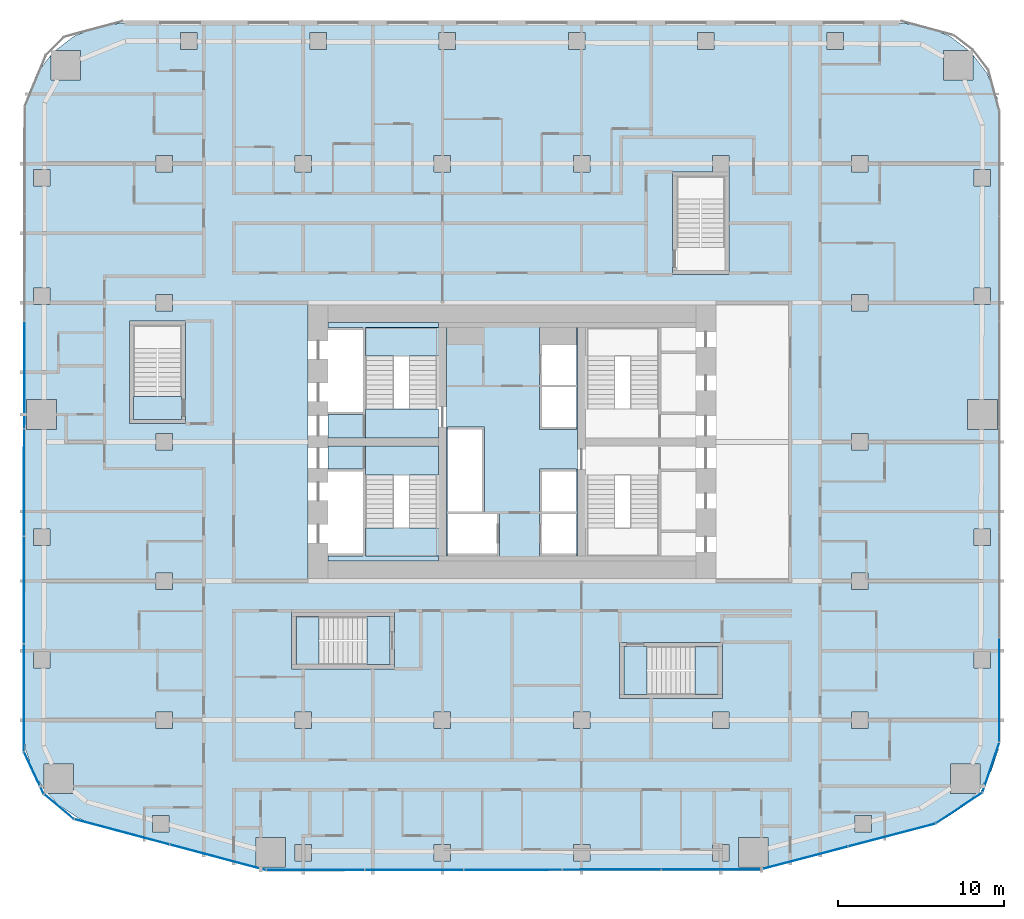
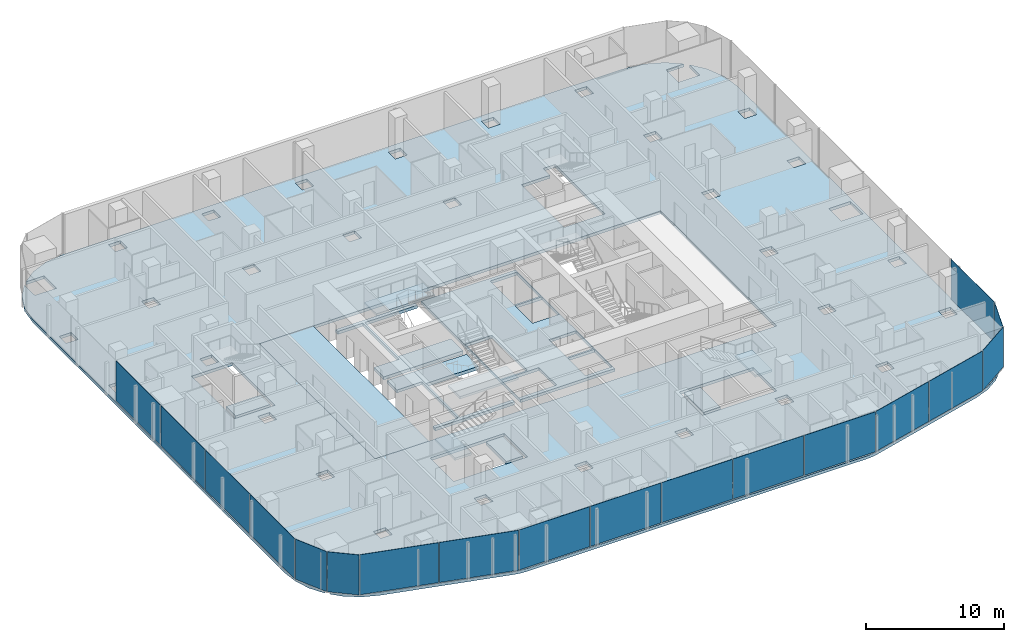
# One storey, part 14 of 26: 18 plates, 14 slabs, 13 elements without a shape of their own.
"""IFC4 building model written with IfcOpenShell, lengths in metres."""

from ifc_helpers import new_model, si_unit, direction, frame, origin, origin_2d, place, context, subcontext, project, spatial, polyline, rectangle, outline, extrude, material, layer, layer_set, type_object, element, aggregate, save


model = new_model("IFC4")

# Units and contexts
model_context = context("Model", 3, precision=1e-05, world=origin(), true_north=direction((0.0, 1.0)))
body_context = subcontext(model_context, "Body", "Model", "MODEL_VIEW")
ifc_project = project(units=[si_unit("LENGTHUNIT", "METRE"), si_unit("AREAUNIT", "SQUARE_METRE"), si_unit("VOLUMEUNIT", "CUBIC_METRE"), si_unit("PLANEANGLEUNIT", "RADIAN"), si_unit("MASSUNIT", "GRAM", prefix="KILO")], contexts=[model_context])

# Site, building, storey
site_placement = place(None, origin())
site = spatial("IfcSite", under=ifc_project, at=site_placement, CompositionType="ELEMENT")
building_placement = place(site_placement, origin())
building = spatial("IfcBuilding", under=site, at=building_placement, Name="Marenta Gate Hotel Tower", CompositionType="ELEMENT")
storey_placement = place(building_placement, frame((0.0, 0.0, 58.10009765625)))
storey = spatial("IfcBuildingStorey", under=building, at=storey_placement, Name="L12", CompositionType="ELEMENT", Elevation=58.10009765625)

# Slabs
ifc_material_1 = material(Name="Concrete C35", Category="concrete")
ifc_layer_1 = layer(ifc_material_1, 0.260009765625)
ifc_layer_set_1 = layer_set([ifc_layer_1], Name="Concrete C35")
slab_type_1 = type_object("IfcSlabType", Name="Concrete floor slab 260", PredefinedType="FLOOR", material=ifc_layer_set_1)
slab_1_placement = place(storey_placement, frame((0.0, 0.0, -0.260009765625)))
element("IfcSlab", 1, at=slab_1_placement, inside=storey, type_object=slab_type_1, Name="L12-SL-1", PredefinedType="FLOOR", context=body_context, shape_type="SweptSolid", body=[
    extrude(outline(polyline([(-27.313720703125, -13.56396484375), (-28.015625, -12.8330078125), (-26.462890625, -12.8330078125), (-26.462890625, -11.032958984375), (-28.262939453125, -11.032958984375), (-28.262939453125, -12.55859375), (-28.927001953125, -11.467041015625), (-29.35546875, -10.20703125), (-29.5, -8.889892578125), (-29.5, 27.6064453125), (-29.29296875, 29.178955078125), (-28.68359375, 30.650390625), (-27.83544921875, 31.755615234375), (-27.83544921875, 30.235595703125), (-26.035400390625, 30.235595703125), (-26.035400390625, 32.035400390625), (-27.555419921875, 32.035400390625), (-26.450439453125, 32.883544921875), (-24.97900390625, 33.492919921875), (-23.406494140625, 33.699951171875), (23.406494140625, 33.699951171875), (24.97900390625, 33.492919921875), (26.450439453125, 32.883544921875), (27.555419921875, 32.035400390625), (26.035400390625, 32.035400390625), (26.035400390625, 30.235595703125), (27.83544921875, 30.235595703125), (27.83544921875, 31.755615234375), (28.68359375, 30.650390625), (29.29296875, 29.178955078125), (29.5, 27.6064453125), (29.5, -8.889892578125), (29.35546875, -10.20703125), (28.927001953125, -11.467041015625), (28.262939453125, -12.55859375), (28.262939453125, -11.032958984375), (26.462890625, -11.032958984375), (26.462890625, -12.8330078125), (28.015625, -12.8330078125), (27.313720703125, -13.56396484375), (26.205810546875, -14.30126953125), (24.969482421875, -14.77880859375), (15.2265625, -17.36376953125), (14.70849609375, -17.4658203125), (14.181640625, -17.5), (-14.181640625, -17.5), (-14.70849609375, -17.4658203125), (-15.2265625, -17.36376953125), (-24.969482421875, -14.77880859375), (-26.205810546875, -14.30126953125), (-27.313720703125, -13.56396484375)]), holes=[polyline([(-16.800048828125, 0.0), (16.800048828125, 0.0), (16.800048828125, 16.800048828125), (-16.800048828125, 16.800048828125), (-16.800048828125, 0.0)]), polyline([(-13.666259765625, -15.474853515625), (-15.46630859375, -15.474853515625), (-15.46630859375, -17.27490234375), (-13.666259765625, -17.27490234375), (-13.666259765625, -15.474853515625)]), polyline([(-20.706787109375, -14.13916015625), (-21.706787109375, -14.13916015625), (-21.706787109375, -15.13916015625), (-20.706787109375, -15.13916015625), (-20.706787109375, -14.13916015625)]), polyline([(-20.5, -8.89990234375), (-20.5, -7.89990234375), (-21.5, -7.89990234375), (-21.5, -8.89990234375), (-20.5, -8.89990234375)]), polyline([(-12.10009765625, -8.89990234375), (-12.10009765625, -7.89990234375), (-13.10009765625, -7.89990234375), (-13.10009765625, -8.89990234375), (-12.10009765625, -8.89990234375)]), polyline([(-27.89990234375, -4.251953125), (-28.89990234375, -4.251953125), (-28.89990234375, -5.251953125), (-27.89990234375, -5.251953125), (-27.89990234375, -4.251953125)]), polyline([(-20.5, -0.5), (-20.5, 0.5), (-21.5, 0.5), (-21.5, -0.5), (-20.5, -0.5)]), polyline([(-27.89990234375, 2.149169921875), (-27.89990234375, 3.149169921875), (-28.89990234375, 3.149169921875), (-28.89990234375, 2.149169921875), (-27.89990234375, 2.149169921875)]), polyline([(-20.5, 8.89990234375), (-21.5, 8.89990234375), (-21.5, 7.89990234375), (-20.5, 7.89990234375), (-20.5, 8.89990234375)]), polyline([(-27.5, 9.14990234375), (-27.5, 10.949951171875), (-29.300048828125, 10.949951171875), (-29.300048828125, 9.14990234375), (-27.5, 9.14990234375)]), polyline([(-20.5, 16.300048828125), (-20.5, 17.300048828125), (-21.5, 17.300048828125), (-21.5, 16.300048828125), (-20.5, 16.300048828125)]), polyline([(-27.89990234375, 17.703125), (-28.89990234375, 17.703125), (-28.89990234375, 16.703125), (-27.89990234375, 16.703125), (-27.89990234375, 17.703125)]), polyline([(-27.89990234375, 23.8564453125), (-27.89990234375, 24.8564453125), (-28.89990234375, 24.8564453125), (-28.89990234375, 23.8564453125), (-27.89990234375, 23.8564453125)]), polyline([(-20.5, 24.699951171875), (-20.5, 25.699951171875), (-21.5, 25.699951171875), (-21.5, 24.699951171875), (-20.5, 24.699951171875)]), polyline([(-19.0068359375, 32.10009765625), (-19.0068359375, 33.10009765625), (-20.0068359375, 33.10009765625), (-20.0068359375, 32.10009765625), (-19.0068359375, 32.10009765625)]), polyline([(-12.10009765625, -16.89990234375), (-12.10009765625, -15.89990234375), (-13.10009765625, -15.89990234375), (-13.10009765625, -16.89990234375), (-12.10009765625, -16.89990234375)]), polyline([(-3.699951171875, -15.89990234375), (-4.699951171875, -15.89990234375), (-4.699951171875, -16.89990234375), (-3.699951171875, -16.89990234375), (-3.699951171875, -15.89990234375)]), polyline([(4.699951171875, -16.89990234375), (4.699951171875, -15.89990234375), (3.699951171875, -15.89990234375), (3.699951171875, -16.89990234375), (4.699951171875, -16.89990234375)]), polyline([(13.10009765625, -16.89990234375), (13.10009765625, -15.89990234375), (12.10009765625, -15.89990234375), (12.10009765625, -16.89990234375), (13.10009765625, -16.89990234375)]), polyline([(15.46630859375, -15.474853515625), (13.666259765625, -15.474853515625), (13.666259765625, -17.27490234375), (15.46630859375, -17.27490234375), (15.46630859375, -15.474853515625)]), polyline([(-3.699951171875, -8.89990234375), (-3.699951171875, -7.89990234375), (-4.699951171875, -7.89990234375), (-4.699951171875, -8.89990234375), (-3.699951171875, -8.89990234375)]), polyline([(4.699951171875, -8.89990234375), (4.699951171875, -7.89990234375), (3.699951171875, -7.89990234375), (3.699951171875, -8.89990234375), (4.699951171875, -8.89990234375)]), polyline([(13.10009765625, -7.89990234375), (12.10009765625, -7.89990234375), (12.10009765625, -8.89990234375), (13.10009765625, -8.89990234375), (13.10009765625, -7.89990234375)]), polyline([(-12.10009765625, 25.699951171875), (-13.10009765625, 25.699951171875), (-13.10009765625, 24.699951171875), (-12.10009765625, 24.699951171875), (-12.10009765625, 25.699951171875)]), polyline([(-3.699951171875, 25.699951171875), (-4.699951171875, 25.699951171875), (-4.699951171875, 24.699951171875), (-3.699951171875, 24.699951171875), (-3.699951171875, 25.699951171875)]), polyline([(4.699951171875, 24.699951171875), (4.699951171875, 25.699951171875), (3.699951171875, 25.699951171875), (3.699951171875, 24.699951171875), (4.699951171875, 24.699951171875)]), polyline([(13.10009765625, 25.699951171875), (12.10009765625, 25.699951171875), (12.10009765625, 24.699951171875), (9.699951171875, 24.699951171875), (9.699951171875, 18.5), (13.10009765625, 18.5), (13.10009765625, 25.699951171875)]), polyline([(-11.2041015625, 33.10009765625), (-12.2041015625, 33.10009765625), (-12.2041015625, 32.10009765625), (-11.2041015625, 32.10009765625), (-11.2041015625, 33.10009765625)]), polyline([(-3.4013671875, 32.10009765625), (-3.4013671875, 33.10009765625), (-4.4013671875, 33.10009765625), (-4.4013671875, 32.10009765625), (-3.4013671875, 32.10009765625)]), polyline([(4.4013671875, 32.10009765625), (4.4013671875, 33.10009765625), (3.4013671875, 33.10009765625), (3.4013671875, 32.10009765625), (4.4013671875, 32.10009765625)]), polyline([(12.2041015625, 33.10009765625), (11.2041015625, 33.10009765625), (11.2041015625, 32.10009765625), (12.2041015625, 32.10009765625), (12.2041015625, 33.10009765625)]), polyline([(21.706787109375, -15.13916015625), (21.706787109375, -14.13916015625), (20.706787109375, -14.13916015625), (20.706787109375, -15.13916015625), (21.706787109375, -15.13916015625)]), polyline([(21.5, -7.89990234375), (20.5, -7.89990234375), (20.5, -8.89990234375), (21.5, -8.89990234375), (21.5, -7.89990234375)]), polyline([(28.89990234375, -5.251953125), (28.89990234375, -4.251953125), (27.89990234375, -4.251953125), (27.89990234375, -5.251953125), (28.89990234375, -5.251953125)]), polyline([(21.5, -0.5), (21.5, 0.5), (20.5, 0.5), (20.5, -0.5), (21.5, -0.5)]), polyline([(28.89990234375, 3.149169921875), (27.89990234375, 3.149169921875), (27.89990234375, 2.149169921875), (28.89990234375, 2.149169921875), (28.89990234375, 3.149169921875)]), polyline([(21.5, 7.89990234375), (21.5, 8.89990234375), (20.5, 8.89990234375), (20.5, 7.89990234375), (21.5, 7.89990234375)]), polyline([(29.300048828125, 9.14990234375), (29.300048828125, 10.949951171875), (27.5, 10.949951171875), (27.5, 9.14990234375), (29.300048828125, 9.14990234375)]), polyline([(21.5, 17.300048828125), (20.5, 17.300048828125), (20.5, 16.300048828125), (21.5, 16.300048828125), (21.5, 17.300048828125)]), polyline([(28.89990234375, 16.703125), (28.89990234375, 17.703125), (27.89990234375, 17.703125), (27.89990234375, 16.703125), (28.89990234375, 16.703125)]), polyline([(28.89990234375, 23.8564453125), (28.89990234375, 24.8564453125), (27.89990234375, 24.8564453125), (27.89990234375, 23.8564453125), (28.89990234375, 23.8564453125)]), polyline([(21.5, 25.699951171875), (20.5, 25.699951171875), (20.5, 24.699951171875), (21.5, 24.699951171875), (21.5, 25.699951171875)]), polyline([(20.0068359375, 32.10009765625), (20.0068359375, 33.10009765625), (19.0068359375, 33.10009765625), (19.0068359375, 32.10009765625), (20.0068359375, 32.10009765625)]), polyline([(6.5, -7.10009765625), (12.699951171875, -7.10009765625), (12.699951171875, -3.699951171875), (6.5, -3.699951171875), (6.5, -7.10009765625)]), polyline([(-13.300048828125, -5.300048828125), (-7.10009765625, -5.300048828125), (-7.10009765625, -1.89990234375), (-13.300048828125, -1.89990234375), (-13.300048828125, -5.300048828125)]), polyline([(-23.10009765625, 9.5), (-19.699951171875, 9.5), (-19.699951171875, 15.699951171875), (-23.10009765625, 15.699951171875), (-23.10009765625, 9.5)])]), origin(), (0.0, 0.0, 1.0), 0.260009765625),
])
ifc_material_2 = material(Name="Concrete C40", Category="concrete")
ifc_layer_2 = layer(ifc_material_2, 0.260009765625)
ifc_layer_set_2 = layer_set([ifc_layer_2], Name="Concrete C40")
slab_type_2 = type_object("IfcSlabType", Name="Core floor slab 260", PredefinedType="FLOOR", material=ifc_layer_set_2)
slab_2_placement = place(storey_placement, frame((0.0, 0.0, -0.260009765625)))
element("IfcSlab", 2, at=slab_2_placement, inside=storey, type_object=slab_type_2, Name="L12-CF-4", PredefinedType="FLOOR", context=body_context, shape_type="SweptSolid", body=[
    extrude(outline(polyline([(3.949951171875, 15.300048828125), (3.949951171875, 10.39990234375), (3.949951171875, 6.39990234375), (3.949951171875, 1.5), (3.949951171875, 1.199951171875), (-3.949951171875, 1.199951171875), (-3.949951171875, 1.5), (-3.949951171875, 6.39990234375), (-3.949951171875, 10.39990234375), (-3.949951171875, 15.300048828125), (-3.949951171875, 15.60009765625), (3.949951171875, 15.60009765625), (3.949951171875, 15.300048828125)]), holes=[polyline([(1.64990234375, 4.050048828125), (1.64990234375, 1.64990234375), (1.64990234375, 1.5), (3.89990234375, 1.5), (3.89990234375, 1.64990234375), (3.89990234375, 4.050048828125), (1.800048828125, 4.050048828125), (1.64990234375, 4.050048828125)]), polyline([(1.64990234375, 9.14990234375), (3.89990234375, 9.14990234375), (3.89990234375, 9.300048828125), (3.89990234375, 11.699951171875), (1.800048828125, 11.699951171875), (1.64990234375, 11.699951171875), (1.64990234375, 9.300048828125), (1.64990234375, 9.14990234375)]), polyline([(1.64990234375, 11.85009765625), (1.800048828125, 11.85009765625), (3.89990234375, 11.85009765625), (3.89990234375, 14.25), (3.89990234375, 15.300048828125), (1.64990234375, 15.300048828125), (1.64990234375, 14.25), (1.64990234375, 11.85009765625)]), polyline([(3.89990234375, 6.60009765625), (3.89990234375, 6.75), (1.64990234375, 6.75), (1.64990234375, 6.60009765625), (1.64990234375, 4.199951171875), (1.800048828125, 4.199951171875), (3.89990234375, 4.199951171875), (3.89990234375, 6.60009765625)]), polyline([(-3.89990234375, 1.5), (-0.89990234375, 1.5), (-0.75, 1.5), (-0.75, 4.050048828125), (-0.89990234375, 4.050048828125), (-3.89990234375, 4.050048828125), (-3.89990234375, 1.64990234375), (-3.89990234375, 1.5)]), polyline([(-1.64990234375, 4.199951171875), (-1.64990234375, 9.14990234375), (-1.64990234375, 9.300048828125), (-3.89990234375, 9.300048828125), (-3.89990234375, 9.14990234375), (-3.89990234375, 6.75), (-3.89990234375, 6.60009765625), (-3.89990234375, 4.199951171875), (-1.800048828125, 4.199951171875), (-1.64990234375, 4.199951171875)])]), origin(), (0.0, 0.0, 1.0), 0.260009765625),
])
slab_3_placement = place(storey_placement, frame((0.0, 0.0, -0.260009765625)))
element("IfcSlab", 3, at=slab_3_placement, inside=storey, type_object=slab_type_2, Name="L12-CF-5", PredefinedType="FLOOR", context=body_context, shape_type="SweptSolid", body=[
    extrude(outline(polyline([(-9.0, 1.5), (-9.0, 1.64990234375), (-9.0, 4.050048828125), (-9.0, 4.199951171875), (-9.0, 6.60009765625), (-9.0, 6.75), (-11.10009765625, 6.75), (-11.10009765625, 8.14990234375), (-8.85009765625, 8.14990234375), (-8.85009765625, 8.10009765625), (-8.85009765625, 6.39990234375), (-8.85009765625, 1.5), (-4.449951171875, 1.5), (-4.449951171875, 1.199951171875), (-11.10009765625, 1.199951171875), (-11.10009765625, 1.5), (-9.0, 1.5)])), origin(), (0.0, 0.0, 1.0), 0.260009765625),
])
slab_4_placement = place(storey_placement, frame((0.0, 0.0, -0.260009765625)))
element("IfcSlab", 4, at=slab_4_placement, inside=storey, type_object=slab_type_2, Name="L12-CF-6", PredefinedType="FLOOR", context=body_context, shape_type="SweptSolid", body=[
    extrude(outline(polyline([(-4.449951171875, 15.300048828125), (-8.85009765625, 15.300048828125), (-8.85009765625, 10.39990234375), (-8.85009765625, 8.699951171875), (-8.85009765625, 8.64990234375), (-11.10009765625, 8.64990234375), (-11.10009765625, 10.050048828125), (-9.0, 10.050048828125), (-9.0, 10.199951171875), (-9.0, 12.60009765625), (-9.0, 12.75), (-9.0, 15.14990234375), (-9.0, 15.300048828125), (-11.10009765625, 15.300048828125), (-11.10009765625, 15.60009765625), (-4.449951171875, 15.60009765625), (-4.449951171875, 15.300048828125)])), origin(), (0.0, 0.0, 1.0), 0.260009765625),
])
slab_5_placement = place(storey_placement, frame((0.0, 0.0, -0.260009765625)))
element("IfcSlab", 5, at=slab_5_placement, inside=storey, type_object=slab_type_2, Name="L12-CF-7", PredefinedType="FLOOR", context=body_context, shape_type="SweptSolid", body=[
    extrude(outline(polyline([(-12.300048828125, 16.800048828125), (-12.300048828125, 0.0), (-16.800048828125, 0.0), (-16.800048828125, 16.800048828125), (-12.300048828125, 16.800048828125)])), origin(), (0.0, 0.0, 1.0), 0.260009765625),
])

# Stair, slab
ifc_material_3 = material(Name="Concrete C40", Category="concrete")
stair_type_1 = type_object("IfcStairType", Name="Core exit stair 1700 wide", PredefinedType="HALF_TURN_STAIR", material=ifc_material_3)
stair_1_placement = place(storey_placement, origin())
stair_1 = element("IfcStair", 6, at=stair_1_placement, inside=storey, type_object=stair_type_1, Name="Exit stair 1", PredefinedType="HALF_TURN_STAIR")
ifc_material_4 = material(Name="Concrete C40", Category="concrete")
ifc_layer_3 = layer(ifc_material_4, 0.199951171875)
ifc_layer_set_3 = layer_set([ifc_layer_3], Name="Concrete C40")
slab_type_3 = type_object("IfcSlabType", Name="Core stair landing 200", PredefinedType="LANDING", material=ifc_layer_set_3)
slab_6_placement = place(storey_placement, frame((0.0, 0.0, 1.599853515625)))
slab_6 = element("IfcSlab", 7, at=slab_6_placement, type_object=slab_type_3, Name="SL-200 ST1 landing 1", PredefinedType="LANDING", context=body_context, shape_type="SweptSolid", body=[
    extrude(outline(polyline([(-8.85009765625, 1.5), (-3.949951171875, 1.5), (-3.949951171875, 3.2099609375), (-8.85009765625, 3.2099609375), (-8.85009765625, 1.5)])), origin(), (0.0, 0.0, 1.0), 0.199951171875),
])
aggregate(stair_1, [slab_6])

stair_2_placement = place(storey_placement, origin())
stair_2 = element("IfcStair", 8, at=stair_2_placement, inside=storey, type_object=stair_type_1, Name="Exit stair 2", PredefinedType="HALF_TURN_STAIR")
slab_7_placement = place(storey_placement, frame((0.0, 0.0, 1.599853515625)))
slab_7 = element("IfcSlab", 9, at=slab_7_placement, type_object=slab_type_3, Name="SL-200 ST2 landing 1", PredefinedType="LANDING", context=body_context, shape_type="SweptSolid", body=[
    extrude(outline(polyline([(-8.85009765625, 13.590087890625), (-3.949951171875, 13.590087890625), (-3.949951171875, 15.300048828125), (-8.85009765625, 15.300048828125), (-8.85009765625, 13.590087890625)])), origin(), (0.0, 0.0, 1.0), 0.199951171875),
])
aggregate(stair_2, [slab_7])

# Curtain wall, plates
ifc_material_5 = material(Name="Tinted insulated glass in bronze anodised frame", Category="glass")
ifc_layer_4 = layer(ifc_material_5, 0.1201171875)
ifc_layer_set_4 = layer_set([ifc_layer_4], Name="Tinted insulated glass in bronze anodised frame")
curtain_wall_type = type_object("IfcCurtainWallType", Name="Tower unitised curtain wall CW1", PredefinedType="NOTDEFINED", material=ifc_layer_set_4)
curtain_wall_1_placement = place(storey_placement, origin())
curtain_wall_1 = element("IfcCurtainWall", 10, at=curtain_wall_1_placement, inside=storey, type_object=curtain_wall_type, Name="CW1 run G03", PredefinedType="NOTDEFINED")
ifc_material_6 = material(Name="Tinted insulated glass", Category="glass")
ifc_layer_5 = layer(ifc_material_6, 0.028076171875)
ifc_layer_set_5 = layer_set([ifc_layer_5], Name="Tinted insulated glass")
plate_type = type_object("IfcPlateType", Name="Glass panel CW1 28 mm tinted insulated unit", PredefinedType="CURTAIN_PANEL", material=ifc_layer_set_5)
plate_1_placement = place(storey_placement, frame((-29.437744140625, 12.440185546875, 0.059814453125), z_axis=(0.0, 0.0, 1.0), x_axis=(-0.00156642217, -0.99999877316, 0.0)))
plate_1 = element("IfcPlate", 11, at=plate_1_placement, type_object=plate_type, Name="CW1 panel 3.1", PredefinedType="CURTAIN_PANEL", context=body_context, shape_type="SweptSolid", body=[
    extrude(rectangle(XDim=6.430419921875, YDim=0.028076171875, at=origin_2d()), origin(), (0.0, 0.0, 1.0), 3.5400390625),
])
plate_2_placement = place(storey_placement, frame((-29.447998046875, 5.949951171875, 0.059814453125), z_axis=(0.0, 0.0, 1.0), x_axis=(-0.00156642217, -0.99999877316, 0.0)))
plate_2 = element("IfcPlate", 12, at=plate_2_placement, type_object=plate_type, Name="CW1 panel 4.1", PredefinedType="CURTAIN_PANEL", context=body_context, shape_type="SweptSolid", body=[
    extrude(rectangle(XDim=6.430419921875, YDim=0.028076171875, at=origin_2d()), origin(), (0.0, 0.0, 1.0), 3.5400390625),
])
plate_3_placement = place(storey_placement, frame((-29.4580078125, -0.54052734375, 0.059814453125), z_axis=(0.0, 0.0, 1.0), x_axis=(-0.00156642217, -0.99999877316, 0.0)))
plate_3 = element("IfcPlate", 13, at=plate_3_placement, type_object=plate_type, Name="CW1 panel 5.1", PredefinedType="CURTAIN_PANEL", context=body_context, shape_type="SweptSolid", body=[
    extrude(rectangle(XDim=6.430419921875, YDim=0.028076171875, at=origin_2d()), origin(), (0.0, 0.0, 1.0), 3.5400390625),
])
plate_4_placement = place(storey_placement, frame((-29.46826171875, -7.0458984375, 0.059814453125), z_axis=(0.0, 0.0, 1.0), x_axis=(-0.00156642217, -0.99999877316, 0.0)))
plate_4 = element("IfcPlate", 14, at=plate_4_placement, type_object=plate_type, Name="CW1 panel 6.1", PredefinedType="CURTAIN_PANEL", context=body_context, shape_type="SweptSolid", body=[
    extrude(rectangle(XDim=6.46044921875, YDim=0.028076171875, at=origin_2d()), origin(), (0.0, 0.0, 1.0), 3.5400390625),
])
aggregate(curtain_wall_1, [plate_1, plate_2, plate_3, plate_4])

# Curtain wall, plate
curtain_wall_2_placement = place(storey_placement, origin())
curtain_wall_2 = element("IfcCurtainWall", 15, at=curtain_wall_2_placement, inside=storey, type_object=curtain_wall_type, Name="CW1 run G04", PredefinedType="NOTDEFINED")
plate_5_placement = place(storey_placement, frame((-28.861083984375, -11.5859375, 0.059814453125), z_axis=(0.0, 0.0, 1.0), x_axis=(0.423341617441, -0.905970129167, 0.0)))
plate_5 = element("IfcPlate", 16, at=plate_5_placement, type_object=plate_type, Name="CW1 panel 1.1", PredefinedType="CURTAIN_PANEL", context=body_context, shape_type="SweptSolid", body=[
    extrude(rectangle(XDim=2.77197265625, YDim=0.028076171875, at=origin_2d()), origin(), (0.0, 0.0, 1.0), 3.5400390625),
])
aggregate(curtain_wall_2, [plate_5])

curtain_wall_3_placement = place(storey_placement, origin())
curtain_wall_3 = element("IfcCurtainWall", 17, at=curtain_wall_3_placement, inside=storey, type_object=curtain_wall_type, Name="CW1 run G05", PredefinedType="NOTDEFINED")
plate_6_placement = place(storey_placement, frame((-27.33984375, -13.623291015625, 0.059814453125), z_axis=(0.0, 0.0, 1.0), x_axis=(0.767113012445, -0.641511984407, 0.0)))
plate_6 = element("IfcPlate", 18, at=plate_6_placement, type_object=plate_type, Name="CW1 panel 1.1", PredefinedType="CURTAIN_PANEL", context=body_context, shape_type="SweptSolid", body=[
    extrude(rectangle(XDim=2.316650390625, YDim=0.028076171875, at=origin_2d()), origin(), (0.0, 0.0, 1.0), 3.5400390625),
])
aggregate(curtain_wall_3, [plate_6])

# Curtain wall, plates
curtain_wall_4_placement = place(storey_placement, origin())
curtain_wall_4 = element("IfcCurtainWall", 19, at=curtain_wall_4_placement, inside=storey, type_object=curtain_wall_type, Name="CW1 run G06", PredefinedType="NOTDEFINED")
plate_7_placement = place(storey_placement, frame((-23.541748046875, -15.140625, 0.059814453125), z_axis=(0.0, 0.0, 1.0), x_axis=(0.966373715782, -0.257141675823, 0.0)))
plate_7 = element("IfcPlate", 20, at=plate_7_placement, type_object=plate_type, Name="CW1 panel 1.1", PredefinedType="CURTAIN_PANEL", context=body_context, shape_type="SweptSolid", body=[
    extrude(rectangle(XDim=5.90185546875, YDim=0.028076171875, at=origin_2d()), origin(), (0.0, 0.0, 1.0), 3.5400390625),
])
plate_8_placement = place(storey_placement, frame((-17.751220703125, -16.681396484375, 0.059814453125), z_axis=(0.0, 0.0, 1.0), x_axis=(0.966373715782, -0.257141675823, 0.0)))
plate_8 = element("IfcPlate", 21, at=plate_8_placement, type_object=plate_type, Name="CW1 panel 2.1", PredefinedType="CURTAIN_PANEL", context=body_context, shape_type="SweptSolid", body=[
    extrude(rectangle(XDim=5.9619140625, YDim=0.028076171875, at=origin_2d()), origin(), (0.0, 0.0, 1.0), 3.5400390625),
])
aggregate(curtain_wall_4, [plate_7, plate_8])

curtain_wall_5_placement = place(storey_placement, origin())
curtain_wall_5 = element("IfcCurtainWall", 22, at=curtain_wall_5_placement, inside=storey, type_object=curtain_wall_type, Name="CW1 run G07", PredefinedType="NOTDEFINED")
plate_9_placement = place(storey_placement, frame((-11.869140625, -17.4443359375, 0.059814453125), z_axis=(0.0, 0.0, 1.0), x_axis=(0.999999324969, 0.001161921639, 0.0)))
plate_9 = element("IfcPlate", 23, at=plate_9_placement, type_object=plate_type, Name="CW1 panel 1.1", PredefinedType="CURTAIN_PANEL", context=body_context, shape_type="SweptSolid", body=[
    extrude(rectangle(XDim=5.8828125, YDim=0.028076171875, at=origin_2d()), origin(), (0.0, 0.0, 1.0), 3.5400390625),
])
plate_10_placement = place(storey_placement, frame((-5.911376953125, -17.4375, 0.059814453125), z_axis=(0.0, 0.0, 1.0), x_axis=(0.999999324969, 0.001161921639, 0.0)))
plate_10 = element("IfcPlate", 24, at=plate_10_placement, type_object=plate_type, Name="CW1 panel 2.1", PredefinedType="CURTAIN_PANEL", context=body_context, shape_type="SweptSolid", body=[
    extrude(rectangle(XDim=5.912841796875, YDim=0.028076171875, at=origin_2d()), origin(), (0.0, 0.0, 1.0), 3.5400390625),
])
plate_11_placement = place(storey_placement, frame((0.0615234375, -17.430419921875, 0.059814453125), z_axis=(0.0, 0.0, 1.0), x_axis=(0.999999324969, 0.001161921639, 0.0)))
plate_11 = element("IfcPlate", 25, at=plate_11_placement, type_object=plate_type, Name="CW1 panel 3.1", PredefinedType="CURTAIN_PANEL", context=body_context, shape_type="SweptSolid", body=[
    extrude(rectangle(XDim=5.912841796875, YDim=0.028076171875, at=origin_2d()), origin(), (0.0, 0.0, 1.0), 3.5400390625),
])
plate_12_placement = place(storey_placement, frame((6.034423828125, -17.423583984375, 0.059814453125), z_axis=(0.0, 0.0, 1.0), x_axis=(0.999999324969, 0.001161921639, 0.0)))
plate_12 = element("IfcPlate", 26, at=plate_12_placement, type_object=plate_type, Name="CW1 panel 4.1", PredefinedType="CURTAIN_PANEL", context=body_context, shape_type="SweptSolid", body=[
    extrude(rectangle(XDim=5.912841796875, YDim=0.028076171875, at=origin_2d()), origin(), (0.0, 0.0, 1.0), 3.5400390625),
])
plate_13_placement = place(storey_placement, frame((12.022216796875, -17.41650390625, 0.059814453125), z_axis=(0.0, 0.0, 1.0), x_axis=(0.999999324969, 0.001161921639, 0.0)))
plate_13 = element("IfcPlate", 27, at=plate_13_placement, type_object=plate_type, Name="CW1 panel 5.1", PredefinedType="CURTAIN_PANEL", context=body_context, shape_type="SweptSolid", body=[
    extrude(rectangle(XDim=5.94287109375, YDim=0.028076171875, at=origin_2d()), origin(), (0.0, 0.0, 1.0), 3.5400390625),
])
aggregate(curtain_wall_5, [plate_9, plate_10, plate_11, plate_12, plate_13])

curtain_wall_6_placement = place(storey_placement, origin())
curtain_wall_6 = element("IfcCurtainWall", 28, at=curtain_wall_6_placement, inside=storey, type_object=curtain_wall_type, Name="CW1 run G08", PredefinedType="NOTDEFINED")
plate_14_placement = place(storey_placement, frame((17.651611328125, -16.717041015625, 0.059814453125), z_axis=(0.0, 0.0, 1.0), x_axis=(0.967368966674, 0.25337182621, 0.0)))
plate_14 = element("IfcPlate", 29, at=plate_14_placement, type_object=plate_type, Name="CW1 panel 1.1", PredefinedType="CURTAIN_PANEL", context=body_context, shape_type="SweptSolid", body=[
    extrude(rectangle(XDim=5.375244140625, YDim=0.028076171875, at=origin_2d()), origin(), (0.0, 0.0, 1.0), 3.5400390625),
])
plate_15_placement = place(storey_placement, frame((22.938720703125, -15.332275390625, 0.059814453125), z_axis=(0.0, 0.0, 1.0), x_axis=(0.967368966674, 0.25337182621, 0.0)))
plate_15 = element("IfcPlate", 30, at=plate_15_placement, type_object=plate_type, Name="CW1 panel 2.1", PredefinedType="CURTAIN_PANEL", context=body_context, shape_type="SweptSolid", body=[
    extrude(rectangle(XDim=5.435302734375, YDim=0.028076171875, at=origin_2d()), origin(), (0.0, 0.0, 1.0), 3.5400390625),
])
aggregate(curtain_wall_6, [plate_14, plate_15])

# Curtain wall, plate
curtain_wall_7_placement = place(storey_placement, origin())
curtain_wall_7 = element("IfcCurtainWall", 31, at=curtain_wall_7_placement, inside=storey, type_object=curtain_wall_type, Name="CW1 run G09", PredefinedType="NOTDEFINED")
plate_16_placement = place(storey_placement, frame((27.006591796875, -13.685791015625, 0.059814453125), z_axis=(0.0, 0.0, 1.0), x_axis=(0.832493824282, 0.554034324326, 0.0)))
plate_16 = element("IfcPlate", 32, at=plate_16_placement, type_object=plate_type, Name="CW1 panel 1.1", PredefinedType="CURTAIN_PANEL", context=body_context, shape_type="SweptSolid", body=[
    extrude(rectangle(XDim=3.33740234375, YDim=0.028076171875, at=origin_2d()), origin(), (0.0, 0.0, 1.0), 3.5400390625),
])
aggregate(curtain_wall_7, [plate_16])

curtain_wall_8_placement = place(storey_placement, origin())
curtain_wall_8 = element("IfcCurtainWall", 33, at=curtain_wall_8_placement, inside=storey, type_object=curtain_wall_type, Name="CW1 run G10", PredefinedType="NOTDEFINED")
plate_17_placement = place(storey_placement, frame((28.91455078125, -11.236328125, 0.059814453125), z_axis=(0.0, 0.0, 1.0), x_axis=(0.322028604337, 0.946729939312, 0.0)))
plate_17 = element("IfcPlate", 34, at=plate_17_placement, type_object=plate_type, Name="CW1 panel 1.1", PredefinedType="CURTAIN_PANEL", context=body_context, shape_type="SweptSolid", body=[
    extrude(rectangle(XDim=3.101806640625, YDim=0.028076171875, at=origin_2d()), origin(), (0.0, 0.0, 1.0), 3.5400390625),
])
aggregate(curtain_wall_8, [plate_17])

curtain_wall_9_placement = place(storey_placement, origin())
curtain_wall_9 = element("IfcCurtainWall", 35, at=curtain_wall_9_placement, inside=storey, type_object=curtain_wall_type, Name="CW1 run G11", PredefinedType="NOTDEFINED")
plate_18_placement = place(storey_placement, frame((29.4140625, -6.572998046875, 0.059814453125), z_axis=(0.0, 0.0, 1.0), x_axis=(0.0, 1.0, 0.0)))
plate_18 = element("IfcPlate", 36, at=plate_18_placement, type_object=plate_type, Name="CW1 panel 1.1", PredefinedType="CURTAIN_PANEL", context=body_context, shape_type="SweptSolid", body=[
    extrude(rectangle(XDim=6.27001953125, YDim=0.028076171875, at=origin_2d()), origin(), (0.0, 0.0, 1.0), 3.5400390625),
])
aggregate(curtain_wall_9, [plate_18])

# Stair, slab
ifc_material_7 = material(Name="Concrete C40", Category="concrete")
stair_type_2 = type_object("IfcStairType", Name="Remote exit stair 1400 wide", PredefinedType="HALF_TURN_STAIR", material=ifc_material_7)
stair_3_placement = place(storey_placement, origin())
stair_3 = element("IfcStair", 37, at=stair_3_placement, inside=storey, type_object=stair_type_2, Name="Exit stair RS-Z1-1", PredefinedType="HALF_TURN_STAIR")
ifc_material_8 = material(Name="Concrete C40", Category="concrete")
ifc_layer_6 = layer(ifc_material_8, 0.199951171875)
ifc_layer_set_6 = layer_set([ifc_layer_6], Name="Concrete C40")
slab_type_4 = type_object("IfcSlabType", Name="Remote stair landing 200", PredefinedType="LANDING", material=ifc_layer_set_6)
slab_8_placement = place(storey_placement, frame((0.0, 0.0, 1.599853515625)))
slab_8 = element("IfcSlab", 38, at=slab_8_placement, type_object=slab_type_4, Name="RL-200 RS-Z1-1 landing 1", PredefinedType="LANDING", context=body_context, shape_type="SweptSolid", body=[
    extrude(outline(polyline([(11.050048828125, -6.85009765625), (12.449951171875, -6.85009765625), (12.449951171875, -3.949951171875), (11.050048828125, -3.949951171875), (11.050048828125, -6.85009765625)])), origin(), (0.0, 0.0, 1.0), 0.199951171875),
])
aggregate(stair_3, [slab_8])

stair_4_placement = place(storey_placement, origin())
stair_4 = element("IfcStair", 39, at=stair_4_placement, inside=storey, type_object=stair_type_2, Name="Exit stair RS-Z1-2", PredefinedType="HALF_TURN_STAIR")
slab_9_placement = place(storey_placement, frame((0.0, 0.0, 1.599853515625)))
slab_9 = element("IfcSlab", 40, at=slab_9_placement, type_object=slab_type_4, Name="RL-200 RS-Z1-2 landing 1", PredefinedType="LANDING", context=body_context, shape_type="SweptSolid", body=[
    extrude(outline(polyline([(-13.050048828125, -5.050048828125), (-11.64990234375, -5.050048828125), (-11.64990234375, -2.14990234375), (-13.050048828125, -2.14990234375), (-13.050048828125, -5.050048828125)])), origin(), (0.0, 0.0, 1.0), 0.199951171875),
])
aggregate(stair_4, [slab_9])

# Slabs
ifc_material_9 = material(Name="Concrete C40", Category="concrete")
ifc_layer_7 = layer(ifc_material_9, 0.300048828125)
ifc_layer_set_7 = layer_set([ifc_layer_7], Name="Concrete C40")
slab_type_5 = type_object("IfcSlabType", Name="Stair floor landing slab 300", PredefinedType="FLOOR", material=ifc_layer_set_7)
slab_10_placement = place(storey_placement, frame((0.0, 0.0, -0.300048828125)))
element("IfcSlab", 41, at=slab_10_placement, inside=storey, type_object=slab_type_5, Name="L12-CL-ST1-1", PredefinedType="FLOOR", context=body_context, shape_type="SweptSolid", body=[
    extrude(outline(polyline([(-4.449951171875, 6.39990234375), (-8.85009765625, 6.39990234375), (-8.85009765625, 8.10009765625), (-8.85009765625, 8.14990234375), (-4.449951171875, 8.14990234375), (-4.449951171875, 6.39990234375)])), origin(), (0.0, 0.0, 1.0), 0.300048828125),
])
slab_11_placement = place(storey_placement, frame((0.0, 0.0, -0.300048828125)))
element("IfcSlab", 42, at=slab_11_placement, inside=storey, type_object=slab_type_5, Name="L12-CL-ST2-1", PredefinedType="FLOOR", context=body_context, shape_type="SweptSolid", body=[
    extrude(outline(polyline([(-4.449951171875, 8.64990234375), (-8.85009765625, 8.64990234375), (-8.85009765625, 8.699951171875), (-8.85009765625, 10.39990234375), (-4.449951171875, 10.39990234375), (-4.449951171875, 8.64990234375)])), origin(), (0.0, 0.0, 1.0), 0.300048828125),
])
slab_12_placement = place(storey_placement, frame((0.0, 0.0, -0.300048828125)))
element("IfcSlab", 43, at=slab_12_placement, inside=storey, type_object=slab_type_5, Name="L12-RS-Z1-1-CL", PredefinedType="FLOOR", context=body_context, shape_type="SweptSolid", body=[
    extrude(outline(polyline([(8.14990234375, -6.85009765625), (8.14990234375, -3.949951171875), (6.75, -3.949951171875), (6.75, -6.85009765625), (8.14990234375, -6.85009765625)])), origin(), (0.0, 0.0, 1.0), 0.300048828125),
])
slab_13_placement = place(storey_placement, frame((0.0, 0.0, -0.300048828125)))
element("IfcSlab", 44, at=slab_13_placement, inside=storey, type_object=slab_type_5, Name="L12-RS-Z1-2-CL", PredefinedType="FLOOR", context=body_context, shape_type="SweptSolid", body=[
    extrude(outline(polyline([(-7.35009765625, -5.050048828125), (-7.35009765625, -2.14990234375), (-8.75, -2.14990234375), (-8.75, -5.050048828125), (-7.35009765625, -5.050048828125)])), origin(), (0.0, 0.0, 1.0), 0.300048828125),
])
slab_14_placement = place(storey_placement, frame((0.0, 0.0, -0.300048828125)))
element("IfcSlab", 45, at=slab_14_placement, inside=storey, type_object=slab_type_5, Name="L12-RS-Z1-3-CL", PredefinedType="FLOOR", context=body_context, shape_type="SweptSolid", body=[
    extrude(outline(polyline([(-19.949951171875, 9.75), (-19.949951171875, 11.14990234375), (-22.85009765625, 11.14990234375), (-22.85009765625, 9.75), (-19.949951171875, 9.75)])), origin(), (0.0, 0.0, 1.0), 0.300048828125),
])

save(model, "model.ifc")
